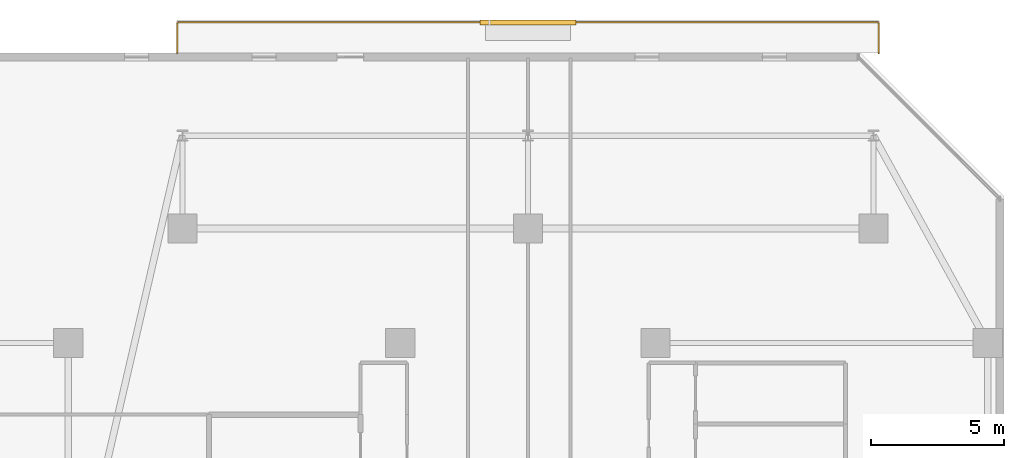
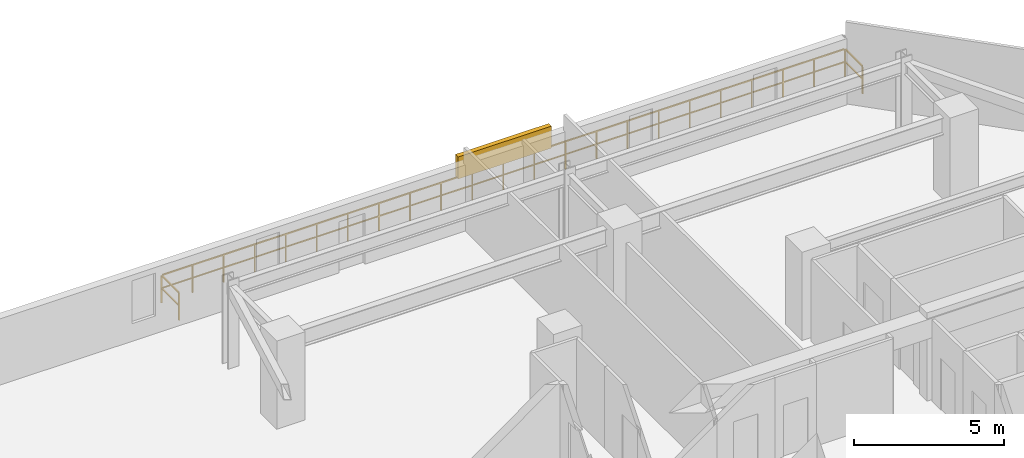
# One storey, part 33 of 33: 1 railing, 1 shading device.
"""IFC4 building model written with IfcOpenShell, lengths in metres."""

from ifc_helpers import new_model, si_unit, direction, frame, origin, origin_2d, place, context, subcontext, project, spatial, rectangle, extrude, material, type_object, element, save


model = new_model("IFC4")

# Units and contexts
model_context = context("Model", 3, precision=1e-05, world=origin(), true_north=direction((0.0, 1.0)))
body_context = subcontext(model_context, "Body", "Model", "MODEL_VIEW")
ifc_project = project(units=[si_unit("LENGTHUNIT", "METRE"), si_unit("AREAUNIT", "SQUARE_METRE"), si_unit("VOLUMEUNIT", "CUBIC_METRE"), si_unit("PLANEANGLEUNIT", "RADIAN"), si_unit("MASSUNIT", "GRAM", prefix="KILO")], contexts=[model_context])

# Site, building, storey
site_placement = place(None, origin())
site = spatial("IfcSite", under=ifc_project, at=site_placement, CompositionType="ELEMENT")
building_placement = place(site_placement, origin())
building = spatial("IfcBuilding", under=site, at=building_placement, Name="Thornwick Lancets Civic Towers", CompositionType="ELEMENT")
storey_placement = place(building_placement, frame((0.0, 0.0, 185.699951171875)))
storey = spatial("IfcBuildingStorey", under=building, at=storey_placement, Name="L49", CompositionType="ELEMENT", Elevation=185.699951171875)

# Railing
ifc_material_1 = material(Name="Terracotta-capped laminated glass balustrade S355", Category="masonry")
railing_type = type_object("IfcRailingType", Name="RAIL_TERR_GUARD", PredefinedType="GUARDRAIL", material=ifc_material_1)
railing_placement = place(storey_placement, frame((75.300048828125, 50.89990234375, 0.0)))
element("IfcRailing", 1, at=railing_placement, inside=storey, type_object=railing_type, Name="L49 Tower B Balcony Guard N", PredefinedType="GUARDRAIL", context=body_context, shape_type="SweptSolid", body=[
    extrude(rectangle(XDim=0.048095703125, YDim=0.048095703125, at=origin_2d()), frame((0.0, 0.0, 1.1259765625), z_axis=(0.0, 1.0, 0.0), x_axis=(-1.0, 0.0, 0.0)), (0.0, 0.0, 1.0), 1.138916015625),
    extrude(rectangle(XDim=0.0419921875, YDim=0.0419921875, at=origin_2d()), frame((0.0, 0.03759765625, 0.597900390625), z_axis=(0.0, 1.0, 0.0), x_axis=(-1.0, 0.0, 0.0)), (0.0, 0.0, 1.0), 1.09521484375),
    extrude(rectangle(XDim=0.048095703125, YDim=0.048095703125, at=origin_2d()), frame((0.03125, 1.170166015625, 1.1259765625), z_axis=(1.0, 0.0, 0.0), x_axis=(0.0, 1.0, 0.0)), (0.0, 0.0, 1.0), 26.33740234375),
    extrude(rectangle(XDim=0.0419921875, YDim=0.0419921875, at=origin_2d()), frame((0.03759765625, 1.170166015625, 0.597900390625), z_axis=(1.0, 0.0, 0.0), x_axis=(0.0, 1.0, 0.0)), (0.0, 0.0, 1.0), 1.125),
    extrude(rectangle(XDim=0.0419921875, YDim=0.0419921875, at=origin_2d()), frame((1.237548828125, 1.170166015625, 0.597900390625), z_axis=(1.0, 0.0, 0.0), x_axis=(0.0, 1.0, 0.0)), (0.0, 0.0, 1.0), 1.125),
    extrude(rectangle(XDim=0.0419921875, YDim=0.0419921875, at=origin_2d()), frame((2.4375, 1.170166015625, 0.597900390625), z_axis=(1.0, 0.0, 0.0), x_axis=(0.0, 1.0, 0.0)), (0.0, 0.0, 1.0), 1.125),
    extrude(rectangle(XDim=0.0419921875, YDim=0.0419921875, at=origin_2d()), frame((3.637451171875, 1.170166015625, 0.597900390625), z_axis=(1.0, 0.0, 0.0), x_axis=(0.0, 1.0, 0.0)), (0.0, 0.0, 1.0), 1.125),
    extrude(rectangle(XDim=0.0419921875, YDim=0.0419921875, at=origin_2d()), frame((4.83740234375, 1.170166015625, 0.597900390625), z_axis=(1.0, 0.0, 0.0), x_axis=(0.0, 1.0, 0.0)), (0.0, 0.0, 1.0), 1.125),
    extrude(rectangle(XDim=0.0419921875, YDim=0.0419921875, at=origin_2d()), frame((6.037353515625, 1.170166015625, 0.597900390625), z_axis=(1.0, 0.0, 0.0), x_axis=(0.0, 1.0, 0.0)), (0.0, 0.0, 1.0), 1.125),
    extrude(rectangle(XDim=0.0419921875, YDim=0.0419921875, at=origin_2d()), frame((7.237548828125, 1.170166015625, 0.597900390625), z_axis=(1.0, 0.0, 0.0), x_axis=(0.0, 1.0, 0.0)), (0.0, 0.0, 1.0), 1.125),
    extrude(rectangle(XDim=0.0419921875, YDim=0.0419921875, at=origin_2d()), frame((8.4375, 1.170166015625, 0.597900390625), z_axis=(1.0, 0.0, 0.0), x_axis=(0.0, 1.0, 0.0)), (0.0, 0.0, 1.0), 1.125),
    extrude(rectangle(XDim=0.0419921875, YDim=0.0419921875, at=origin_2d()), frame((9.637451171875, 1.170166015625, 0.597900390625), z_axis=(1.0, 0.0, 0.0), x_axis=(0.0, 1.0, 0.0)), (0.0, 0.0, 1.0), 1.125),
    extrude(rectangle(XDim=0.0419921875, YDim=0.0419921875, at=origin_2d()), frame((10.83740234375, 1.170166015625, 0.597900390625), z_axis=(1.0, 0.0, 0.0), x_axis=(0.0, 1.0, 0.0)), (0.0, 0.0, 1.0), 1.125),
    extrude(rectangle(XDim=0.0419921875, YDim=0.0419921875, at=origin_2d()), frame((12.037353515625, 1.170166015625, 0.597900390625), z_axis=(1.0, 0.0, 0.0), x_axis=(0.0, 1.0, 0.0)), (0.0, 0.0, 1.0), 1.125),
    extrude(rectangle(XDim=0.0419921875, YDim=0.0419921875, at=origin_2d()), frame((13.237548828125, 1.170166015625, 0.597900390625), z_axis=(1.0, 0.0, 0.0), x_axis=(0.0, 1.0, 0.0)), (0.0, 0.0, 1.0), 1.125),
    extrude(rectangle(XDim=0.0419921875, YDim=0.0419921875, at=origin_2d()), frame((14.4375, 1.170166015625, 0.597900390625), z_axis=(1.0, 0.0, 0.0), x_axis=(0.0, 1.0, 0.0)), (0.0, 0.0, 1.0), 1.125),
    extrude(rectangle(XDim=0.0419921875, YDim=0.0419921875, at=origin_2d()), frame((15.637451171875, 1.170166015625, 0.597900390625), z_axis=(1.0, 0.0, 0.0), x_axis=(0.0, 1.0, 0.0)), (0.0, 0.0, 1.0), 1.125),
    extrude(rectangle(XDim=0.0419921875, YDim=0.0419921875, at=origin_2d()), frame((16.83740234375, 1.170166015625, 0.597900390625), z_axis=(1.0, 0.0, 0.0), x_axis=(0.0, 1.0, 0.0)), (0.0, 0.0, 1.0), 1.125),
    extrude(rectangle(XDim=0.0419921875, YDim=0.0419921875, at=origin_2d()), frame((18.037353515625, 1.170166015625, 0.597900390625), z_axis=(1.0, 0.0, 0.0), x_axis=(0.0, 1.0, 0.0)), (0.0, 0.0, 1.0), 1.125),
    extrude(rectangle(XDim=0.0419921875, YDim=0.0419921875, at=origin_2d()), frame((19.2373046875, 1.170166015625, 0.597900390625), z_axis=(1.0, 0.0, 0.0), x_axis=(0.0, 1.0, 0.0)), (0.0, 0.0, 1.0), 1.125),
    extrude(rectangle(XDim=0.0419921875, YDim=0.0419921875, at=origin_2d()), frame((20.4375, 1.170166015625, 0.597900390625), z_axis=(1.0, 0.0, 0.0), x_axis=(0.0, 1.0, 0.0)), (0.0, 0.0, 1.0), 1.125),
    extrude(rectangle(XDim=0.0419921875, YDim=0.0419921875, at=origin_2d()), frame((21.637451171875, 1.170166015625, 0.597900390625), z_axis=(1.0, 0.0, 0.0), x_axis=(0.0, 1.0, 0.0)), (0.0, 0.0, 1.0), 1.125),
    extrude(rectangle(XDim=0.0419921875, YDim=0.0419921875, at=origin_2d()), frame((22.83740234375, 1.170166015625, 0.597900390625), z_axis=(1.0, 0.0, 0.0), x_axis=(0.0, 1.0, 0.0)), (0.0, 0.0, 1.0), 1.125),
    extrude(rectangle(XDim=0.0419921875, YDim=0.0419921875, at=origin_2d()), frame((24.037353515625, 1.170166015625, 0.597900390625), z_axis=(1.0, 0.0, 0.0), x_axis=(0.0, 1.0, 0.0)), (0.0, 0.0, 1.0), 1.125),
    extrude(rectangle(XDim=0.0419921875, YDim=0.0419921875, at=origin_2d()), frame((25.2373046875, 1.170166015625, 0.597900390625), z_axis=(1.0, 0.0, 0.0), x_axis=(0.0, 1.0, 0.0)), (0.0, 0.0, 1.0), 1.125),
    extrude(rectangle(XDim=0.048095703125, YDim=0.048095703125, at=origin_2d()), frame((26.39990234375, 1.138916015625, 1.1259765625), z_axis=(0.0, -1.0, 0.0), x_axis=(1.0, 0.0, 0.0)), (0.0, 0.0, 1.0), 1.138916015625),
    extrude(rectangle(XDim=0.0419921875, YDim=0.0419921875, at=origin_2d()), frame((26.39990234375, 1.132568359375, 0.597900390625), z_axis=(0.0, -1.0, 0.0), x_axis=(1.0, 0.0, 0.0)), (0.0, 0.0, 1.0), 1.09521484375),
    extrude(rectangle(XDim=0.0419921875, YDim=0.0419921875, at=origin_2d()), origin(), (0.0, 0.0, 1.0), 1.095703125),
    extrude(rectangle(XDim=0.0419921875, YDim=0.0419921875, at=origin_2d()), frame((0.0, 1.170166015625, 0.0)), (0.0, 0.0, 1.0), 1.095703125),
    extrude(rectangle(XDim=0.0419921875, YDim=0.0419921875, at=origin_2d()), frame((1.199951171875, 1.170166015625, 0.0)), (0.0, 0.0, 1.0), 1.095703125),
    extrude(rectangle(XDim=0.0419921875, YDim=0.0419921875, at=origin_2d()), frame((2.39990234375, 1.170166015625, 0.0)), (0.0, 0.0, 1.0), 1.095703125),
    extrude(rectangle(XDim=0.0419921875, YDim=0.0419921875, at=origin_2d()), frame((3.60009765625, 1.170166015625, 0.0)), (0.0, 0.0, 1.0), 1.095703125),
    extrude(rectangle(XDim=0.0419921875, YDim=0.0419921875, at=origin_2d()), frame((4.800048828125, 1.170166015625, 0.0)), (0.0, 0.0, 1.0), 1.095703125),
    extrude(rectangle(XDim=0.0419921875, YDim=0.0419921875, at=origin_2d()), frame((6.0, 1.170166015625, 0.0)), (0.0, 0.0, 1.0), 1.095703125),
    extrude(rectangle(XDim=0.0419921875, YDim=0.0419921875, at=origin_2d()), frame((7.199951171875, 1.170166015625, 0.0)), (0.0, 0.0, 1.0), 1.095703125),
    extrude(rectangle(XDim=0.0419921875, YDim=0.0419921875, at=origin_2d()), frame((8.39990234375, 1.170166015625, 0.0)), (0.0, 0.0, 1.0), 1.095703125),
    extrude(rectangle(XDim=0.0419921875, YDim=0.0419921875, at=origin_2d()), frame((9.599853515625, 1.170166015625, 0.0)), (0.0, 0.0, 1.0), 1.095703125),
    extrude(rectangle(XDim=0.0419921875, YDim=0.0419921875, at=origin_2d()), frame((10.800048828125, 1.170166015625, 0.0)), (0.0, 0.0, 1.0), 1.095703125),
    extrude(rectangle(XDim=0.0419921875, YDim=0.0419921875, at=origin_2d()), frame((12.0, 1.170166015625, 0.0)), (0.0, 0.0, 1.0), 1.095703125),
    extrude(rectangle(XDim=0.0419921875, YDim=0.0419921875, at=origin_2d()), frame((13.199951171875, 1.170166015625, 0.0)), (0.0, 0.0, 1.0), 1.095703125),
    extrude(rectangle(XDim=0.0419921875, YDim=0.0419921875, at=origin_2d()), frame((14.39990234375, 1.170166015625, 0.0)), (0.0, 0.0, 1.0), 1.095703125),
    extrude(rectangle(XDim=0.0419921875, YDim=0.0419921875, at=origin_2d()), frame((15.599853515625, 1.170166015625, 0.0)), (0.0, 0.0, 1.0), 1.095703125),
    extrude(rectangle(XDim=0.0419921875, YDim=0.0419921875, at=origin_2d()), frame((16.800048828125, 1.170166015625, 0.0)), (0.0, 0.0, 1.0), 1.095703125),
    extrude(rectangle(XDim=0.0419921875, YDim=0.0419921875, at=origin_2d()), frame((18.0, 1.170166015625, 0.0)), (0.0, 0.0, 1.0), 1.095703125),
    extrude(rectangle(XDim=0.0419921875, YDim=0.0419921875, at=origin_2d()), frame((19.199951171875, 1.170166015625, 0.0)), (0.0, 0.0, 1.0), 1.095703125),
    extrude(rectangle(XDim=0.0419921875, YDim=0.0419921875, at=origin_2d()), frame((20.39990234375, 1.170166015625, 0.0)), (0.0, 0.0, 1.0), 1.095703125),
    extrude(rectangle(XDim=0.0419921875, YDim=0.0419921875, at=origin_2d()), frame((21.599853515625, 1.170166015625, 0.0)), (0.0, 0.0, 1.0), 1.095703125),
    extrude(rectangle(XDim=0.0419921875, YDim=0.0419921875, at=origin_2d()), frame((22.7998046875, 1.170166015625, 0.0)), (0.0, 0.0, 1.0), 1.095703125),
    extrude(rectangle(XDim=0.0419921875, YDim=0.0419921875, at=origin_2d()), frame((24.0, 1.170166015625, 0.0)), (0.0, 0.0, 1.0), 1.095703125),
    extrude(rectangle(XDim=0.0419921875, YDim=0.0419921875, at=origin_2d()), frame((25.199951171875, 1.170166015625, 0.0)), (0.0, 0.0, 1.0), 1.095703125),
    extrude(rectangle(XDim=0.0419921875, YDim=0.0419921875, at=origin_2d()), frame((26.39990234375, 1.170166015625, 0.0)), (0.0, 0.0, 1.0), 1.095703125),
    extrude(rectangle(XDim=0.0419921875, YDim=0.0419921875, at=origin_2d()), frame((26.39990234375, 0.0, 0.0)), (0.0, 0.0, 1.0), 1.095703125),
])

# Shading device
ifc_material_2 = material(Name="Extruded terracotta baguette solar screen", Category="masonry")
shading_device_type = type_object("IfcShadingDeviceType", Name="SHADE_BAGUETTE", PredefinedType="JALOUSIE", material=ifc_material_2)
shading_device_placement = place(storey_placement, frame((88.5, 52.06005859375, 1.1201171875), z_axis=(0.0, 0.0, 1.0), x_axis=(1.0, 0.0, 0.0)))
element("IfcShadingDevice", 2, at=shading_device_placement, inside=storey, type_object=shading_device_type, Name="L49 Tower B Terracotta Baguette Screen N", PredefinedType="JALOUSIE", context=body_context, shape_type="SweptSolid", body=[
    extrude(rectangle(XDim=3.60009765625, YDim=0.179931640625, at=origin_2d()), origin(), (0.0, 0.0, 1.0), 0.89990234375),
])

save(model, "model.ifc")
